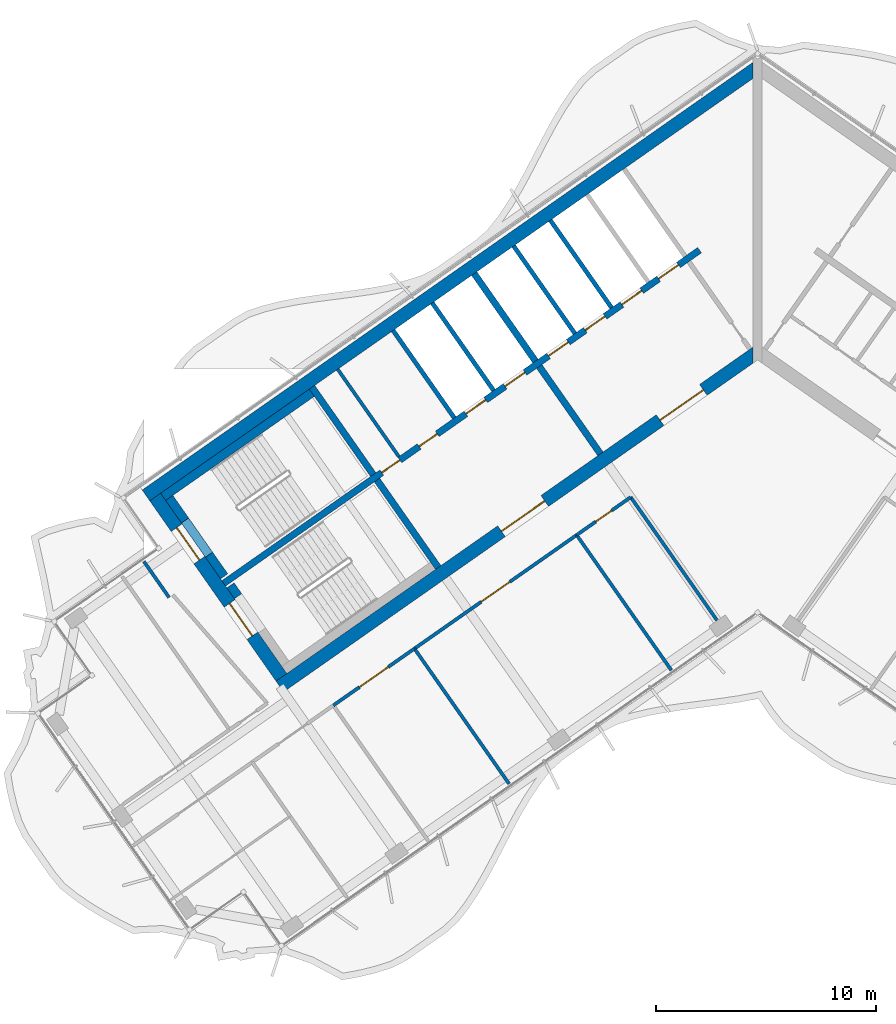
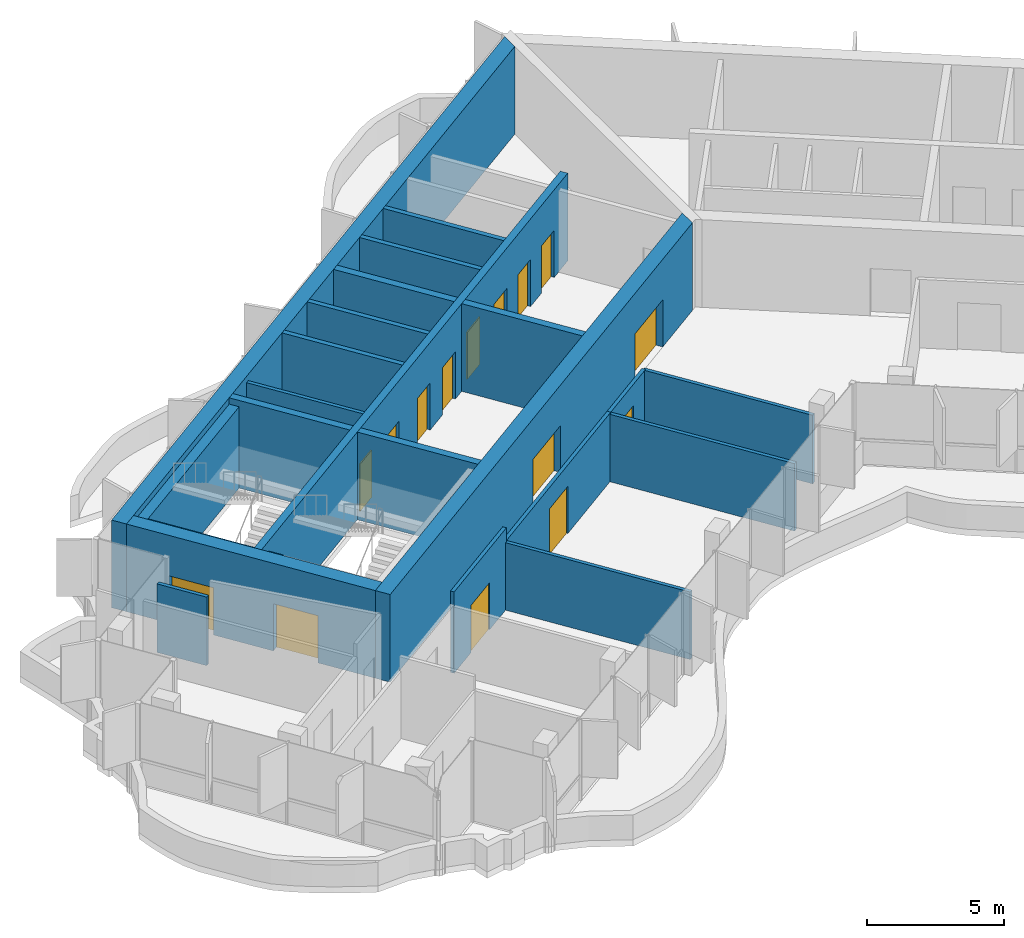
# One storey, part 9 of 17: 25 walls, 15 doors, 15 openings.
"""IFC4 building model written with IfcOpenShell, lengths in metres."""

from ifc_helpers import new_model, si_unit, direction, frame, frame_2d, origin, place, context, subcontext, project, spatial, polyline, rectangle, outline, extrude, material, layer, layer_set, type_object, element, fill, save


model = new_model("IFC4")

# Units and contexts
model_context = context("Model", 3, precision=1e-05, world=origin(), true_north=direction((0.0, 1.0)))
body_context = subcontext(model_context, "Body", "Model", "MODEL_VIEW")
ifc_project = project(units=[si_unit("LENGTHUNIT", "METRE"), si_unit("AREAUNIT", "SQUARE_METRE"), si_unit("VOLUMEUNIT", "CUBIC_METRE"), si_unit("PLANEANGLEUNIT", "RADIAN"), si_unit("MASSUNIT", "GRAM", prefix="KILO")], contexts=[model_context])

# Site, building, storey
site_placement = place(None, origin())
site = spatial("IfcSite", under=ifc_project, at=site_placement, CompositionType="ELEMENT")
building_placement = place(site_placement, origin())
building = spatial("IfcBuilding", under=site, at=building_placement, Name="Tel Ilan Convention Tower", CompositionType="ELEMENT")
storey_placement = place(building_placement, frame((0.0, 0.0, 276.10009765625)))
storey = spatial("IfcBuildingStorey", under=building, at=storey_placement, Name="L65", CompositionType="ELEMENT", Elevation=276.10009765625)

# Walls
ifc_material_1 = material(Name="Gypsum Plasterboard on Steel Stud", Category="steel")
ifc_layer_1 = layer(ifc_material_1, 0.14990234375)
ifc_layer_set_1 = layer_set([ifc_layer_1], Name="Core Room Partition Wall 150 mm EI 60")
wall_type_1 = type_object("IfcWallType", Name="Core Room Partition Wall 150 mm EI 60", PredefinedType="PARTITIONING", material=ifc_layer_set_1)
wall_1_placement = place(storey_placement, frame((-16.302001953125, -5.6162109375, 0.0), z_axis=(0.0, 0.0, 1.0), x_axis=(-0.573560315113, 0.819163332265, 0.0)))
element("IfcWall", 1, at=wall_1_placement, inside=storey, type_object=wall_type_1, Name="L65 core wall bank-W2-split", PredefinedType="PARTITIONING", context=body_context, shape_type="SweptSolid", body=[
    extrude(rectangle(XDim=4.849853515625, YDim=0.14990234375, at=frame_2d((2.4248046875, 0.0))), origin(), (0.0, 0.0, 1.0), 3.619873046875),
])
ifc_material_2 = material(Name="Concrete C40/50", Category="concrete")
ifc_layer_2 = layer(ifc_material_2, 0.300048828125)
ifc_layer_set_2 = layer_set([ifc_layer_2], Name="Core Shear Wall 300 mm C40/50")
wall_type_2 = type_object("IfcWallType", Name="Core Shear Wall 300 mm C40/50", PredefinedType="SHEAR", material=ifc_layer_set_2)
wall_2_placement = place(storey_placement, frame((-7.142822265625, -5.48974609375, 0.0), z_axis=(0.0, 0.0, 1.0), x_axis=(-0.573617744349, 0.819123118565, 0.0)))
element("IfcWall", 2, at=wall_2_placement, inside=storey, type_object=wall_type_2, Name="L65 core wall W-cross1-1", PredefinedType="SHEAR", context=body_context, shape_type="SweptSolid", body=[
    extrude(outline(polyline([(4.85009765625, 0.14990234375), (0.0, 0.150146484375), (0.0, -0.14990234375), (4.85009765625, -0.150146484375), (4.85009765625, 0.14990234375)])), origin(), (0.0, 0.0, 1.0), 3.89990234375),
])
wall_3_placement = place(storey_placement, frame((-10.096923828125, -1.271240234375, 0.0), z_axis=(0.0, 0.0, 1.0), x_axis=(-0.573560315113, 0.819163332265, 0.0)))
element("IfcWall", 3, at=wall_3_placement, inside=storey, type_object=wall_type_2, Name="L65 core wall W-cross1-2", PredefinedType="SHEAR", context=body_context, shape_type="SweptSolid", body=[
    extrude(outline(polyline([(4.849853515625, -0.14990234375), (4.849853515625, 0.150146484375), (0.0, 0.14990234375), (0.0, -0.150146484375), (4.849853515625, -0.14990234375)])), origin(), (0.0, 0.0, 1.0), 3.89990234375),
])
wall_4_placement = place(storey_placement, frame((-14.515380859375, -10.652099609375, 0.0), z_axis=(0.0, 0.0, 1.0), x_axis=(-0.573560315113, 0.819163332265, 0.0)))
element("IfcWall", 4, at=wall_4_placement, inside=storey, type_object=wall_type_2, Name="L65 core wall W-cross2-1", PredefinedType="SHEAR", context=body_context, shape_type="SweptSolid", body=[
    extrude(outline(polyline([(4.85009765625, 0.14990234375), (0.0, 0.14990234375), (0.0, -0.150146484375), (4.85009765625, -0.14990234375), (4.85009765625, 0.14990234375)])), origin(), (0.0, 0.0, 1.0), 3.89990234375),
])
wall_5_placement = place(storey_placement, frame((-17.46923828125, -6.433349609375, 0.0), z_axis=(0.0, 0.0, 1.0), x_axis=(-0.573594092424, 0.81913968109, 0.0)))
element("IfcWall", 5, at=wall_5_placement, inside=storey, type_object=wall_type_2, Name="L65 core wall W-cross2-2", PredefinedType="SHEAR", context=body_context, shape_type="SweptSolid", body=[
    extrude(outline(polyline([(4.849853515625, -0.150146484375), (4.849853515625, 0.14990234375), (0.0, 0.14990234375), (0.0, -0.14990234375), (4.849853515625, -0.150146484375)])), origin(), (0.0, 0.0, 1.0), 3.89990234375),
])

# Wall, openings, doors
wall_6_placement = place(storey_placement, frame((-2.638427734375, 3.76806640625, 0.0), z_axis=(0.0, 0.0, 1.0), x_axis=(-0.819155014212, -0.573572194837, 0.0)))
wall_6 = element("IfcWall", 6, at=wall_6_placement, inside=storey, type_object=wall_type_2, Name="L65 core wall W-spine", PredefinedType="SHEAR", context=body_context, shape_type="SweptSolid", body=[
    extrude(outline(polyline([(26.39990234375, 0.150146484375), (0.0, 0.14990234375), (0.0, -0.150146484375), (26.39990234375, -0.14990234375), (26.39990234375, 0.150146484375)])), origin(), (0.0, 0.0, 1.0), 3.89990234375),
])
opening_1_placement = place(wall_6_placement, frame((1.168701171875, 0.0, 0.0)))
opening_1 = element("IfcOpeningElement", 7, at=opening_1_placement, cuts=wall_6, Name="Opening LD5004", PredefinedType="OPENING", context=body_context, shape_type="SweptSolid", body=[
    extrude(rectangle(XDim=1.10009765625, YDim=2.10009765625, at=frame_2d((0.550048828125, 1.050048828125))), frame((0.0, 0.159912109375, 0.0), z_axis=(0.0, -1.0, 0.0), x_axis=(1.0, 0.0, 0.0)), (0.0, 0.0, 1.0), 0.320068359375),
])
opening_2_placement = place(wall_6_placement, frame((3.206298828125, 0.0, 0.0)))
opening_2 = element("IfcOpeningElement", 8, at=opening_2_placement, cuts=wall_6, Name="Opening LD5005", PredefinedType="OPENING", context=body_context, shape_type="SweptSolid", body=[
    extrude(rectangle(XDim=1.10009765625, YDim=2.10009765625, at=frame_2d((0.550048828125, 1.050048828125))), frame((0.0, 0.159912109375, 0.0), z_axis=(0.0, -1.0, 0.0), x_axis=(1.0, 0.0, 0.0)), (0.0, 0.0, 1.0), 0.320068359375),
])
opening_3_placement = place(wall_6_placement, frame((5.24365234375, 0.0, 0.0)))
opening_3 = element("IfcOpeningElement", 9, at=opening_3_placement, cuts=wall_6, Name="Opening LD5006", PredefinedType="OPENING", context=body_context, shape_type="SweptSolid", body=[
    extrude(rectangle(XDim=1.10009765625, YDim=2.10009765625, at=frame_2d((0.550048828125, 1.050048828125))), frame((0.0, 0.159912109375, 0.0), z_axis=(0.0, -1.0, 0.0), x_axis=(1.0, 0.0, 0.0)), (0.0, 0.0, 1.0), 0.320068359375),
])
opening_4_placement = place(wall_6_placement, frame((7.28125, 0.0, 0.0)))
opening_4 = element("IfcOpeningElement", 10, at=opening_4_placement, cuts=wall_6, Name="Opening LD5007", PredefinedType="OPENING", context=body_context, shape_type="SweptSolid", body=[
    extrude(rectangle(XDim=1.10009765625, YDim=2.10009765625, at=frame_2d((0.550048828125, 1.050048828125))), frame((0.0, 0.159912109375, 0.0), z_axis=(0.0, -1.0, 0.0), x_axis=(1.0, 0.0, 0.0)), (0.0, 0.0, 1.0), 0.320068359375),
])
opening_5_placement = place(wall_6_placement, frame((9.6875, 0.0, 0.0)))
opening_5 = element("IfcOpeningElement", 11, at=opening_5_placement, cuts=wall_6, Name="Opening LD5008", PredefinedType="OPENING", context=body_context, shape_type="SweptSolid", body=[
    extrude(rectangle(XDim=1.10009765625, YDim=2.10009765625, at=frame_2d((0.550048828125, 1.050048828125))), frame((0.0, 0.159912109375, 0.0), z_axis=(0.0, -1.0, 0.0), x_axis=(1.0, 0.0, 0.0)), (0.0, 0.0, 1.0), 0.320068359375),
])
opening_6_placement = place(wall_6_placement, frame((11.862548828125, 0.0, 0.0)))
opening_6 = element("IfcOpeningElement", 12, at=opening_6_placement, cuts=wall_6, Name="Opening LD5009", PredefinedType="OPENING", context=body_context, shape_type="SweptSolid", body=[
    extrude(rectangle(XDim=1.10009765625, YDim=2.10009765625, at=frame_2d((0.550048828125, 1.050048828125))), frame((0.0, 0.159912109375, 0.0), z_axis=(0.0, -1.0, 0.0), x_axis=(1.0, 0.0, 0.0)), (0.0, 0.0, 1.0), 0.320068359375),
])
opening_7_placement = place(wall_6_placement, frame((14.552490234375, 0.0, 0.0)))
opening_7 = element("IfcOpeningElement", 13, at=opening_7_placement, cuts=wall_6, Name="Opening CD5009", PredefinedType="OPENING", context=body_context, shape_type="SweptSolid", body=[
    extrude(rectangle(XDim=1.0, YDim=2.10009765625, at=frame_2d((0.5, 1.050048828125))), frame((0.0, 0.159912109375, 0.0), z_axis=(0.0, -1.0, 0.0), x_axis=(1.0, 0.0, 0.0)), (0.0, 0.0, 1.0), 0.320068359375),
])
opening_8_placement = place(wall_6_placement, frame((16.62744140625, 0.0, 0.0)))
opening_8 = element("IfcOpeningElement", 14, at=opening_8_placement, cuts=wall_6, Name="Opening CD5010", PredefinedType="OPENING", context=body_context, shape_type="SweptSolid", body=[
    extrude(rectangle(XDim=1.0, YDim=2.10009765625, at=frame_2d((0.5, 1.050048828125))), frame((0.0, 0.159912109375, 0.0), z_axis=(0.0, -1.0, 0.0), x_axis=(1.0, 0.0, 0.0)), (0.0, 0.0, 1.0), 0.320068359375),
])
ifc_material_3 = material(Name="Stainless Steel Sliding Door Leaf", Category="steel")
door_type_1 = type_object("IfcDoorType", Name="Lift Landing Door 1100 x 2100 FD120", OperationType="NOTDEFINED", PredefinedType="DOOR", material=ifc_material_3)
door_1_placement = place(opening_1_placement, origin())
door_1 = element("IfcDoor", 15, at=door_1_placement, inside=storey, type_object=door_type_1, Name="Lift HR1 landing door", OperationType="SLIDING_TO_LEFT", OverallHeight=2.10009765625, OverallWidth=1.10009765625, PredefinedType="DOOR", context=body_context, shape_type="SweptSolid", body=[
    extrude(rectangle(XDim=1.10009765625, YDim=2.10009765625, at=frame_2d((0.550048828125, 1.050048828125))), frame((0.0, 0.02490234375, 0.0), z_axis=(0.0, -1.0, 0.0), x_axis=(1.0, 0.0, 0.0)), (0.0, 0.0, 1.0), 0.050048828125),
])
fill(opening_1, door_1)
door_2_placement = place(opening_2_placement, origin())
door_2 = element("IfcDoor", 16, at=door_2_placement, inside=storey, type_object=door_type_1, Name="Lift HR2 landing door", OperationType="SLIDING_TO_RIGHT", OverallHeight=2.10009765625, OverallWidth=1.10009765625, PredefinedType="DOOR", context=body_context, shape_type="SweptSolid", body=[
    extrude(rectangle(XDim=1.10009765625, YDim=2.10009765625, at=frame_2d((0.550048828125, 1.050048828125))), frame((0.0, 0.02490234375, 0.0), z_axis=(0.0, -1.0, 0.0), x_axis=(1.0, 0.0, 0.0)), (0.0, 0.0, 1.0), 0.050048828125),
])
fill(opening_2, door_2)
door_3_placement = place(opening_3_placement, origin())
door_3 = element("IfcDoor", 17, at=door_3_placement, inside=storey, type_object=door_type_1, Name="Lift HR3 landing door", OperationType="SLIDING_TO_LEFT", OverallHeight=2.10009765625, OverallWidth=1.10009765625, PredefinedType="DOOR", context=body_context, shape_type="SweptSolid", body=[
    extrude(rectangle(XDim=1.10009765625, YDim=2.10009765625, at=frame_2d((0.550048828125, 1.050048828125))), frame((0.0, 0.02490234375, 0.0), z_axis=(0.0, -1.0, 0.0), x_axis=(1.0, 0.0, 0.0)), (0.0, 0.0, 1.0), 0.050048828125),
])
fill(opening_3, door_3)
door_4_placement = place(opening_4_placement, origin())
door_4 = element("IfcDoor", 18, at=door_4_placement, inside=storey, type_object=door_type_1, Name="Lift HR4 landing door", OperationType="SLIDING_TO_RIGHT", OverallHeight=2.10009765625, OverallWidth=1.10009765625, PredefinedType="DOOR", context=body_context, shape_type="SweptSolid", body=[
    extrude(rectangle(XDim=1.10009765625, YDim=2.10009765625, at=frame_2d((0.550048828125, 1.050048828125))), frame((0.0, 0.02490234375, 0.0), z_axis=(0.0, -1.0, 0.0), x_axis=(1.0, 0.0, 0.0)), (0.0, 0.0, 1.0), 0.050048828125),
])
fill(opening_4, door_4)
door_5_placement = place(opening_5_placement, origin())
door_5 = element("IfcDoor", 19, at=door_5_placement, inside=storey, type_object=door_type_1, Name="Lift HR5 landing door", OperationType="SLIDING_TO_LEFT", OverallHeight=2.10009765625, OverallWidth=1.10009765625, PredefinedType="DOOR", context=body_context, shape_type="SweptSolid", body=[
    extrude(rectangle(XDim=1.10009765625, YDim=2.10009765625, at=frame_2d((0.550048828125, 1.050048828125))), frame((0.0, 0.02490234375, 0.0), z_axis=(0.0, -1.0, 0.0), x_axis=(1.0, 0.0, 0.0)), (0.0, 0.0, 1.0), 0.050048828125),
])
fill(opening_5, door_5)
door_6_placement = place(opening_6_placement, origin())
door_6 = element("IfcDoor", 20, at=door_6_placement, inside=storey, type_object=door_type_1, Name="Lift HR6 landing door", OperationType="SLIDING_TO_RIGHT", OverallHeight=2.10009765625, OverallWidth=1.10009765625, PredefinedType="DOOR", context=body_context, shape_type="SweptSolid", body=[
    extrude(rectangle(XDim=1.10009765625, YDim=2.10009765625, at=frame_2d((0.550048828125, 1.050048828125))), frame((0.0, 0.02490234375, 0.0), z_axis=(0.0, -1.0, 0.0), x_axis=(1.0, 0.0, 0.0)), (0.0, 0.0, 1.0), 0.050048828125),
])
fill(opening_6, door_6)
ifc_material_4 = material(Name="Galvanised Steel Door Leaf", Category="steel")
door_type_2 = type_object("IfcDoorType", Name="Service Room Door 1000 x 2100 FD60", OperationType="NOTDEFINED", PredefinedType="DOOR", material=ifc_material_4)
door_7_placement = place(opening_7_placement, origin())
door_7 = element("IfcDoor", 21, at=door_7_placement, inside=storey, type_object=door_type_2, Name="Plant Room door", OperationType="SINGLE_SWING_RIGHT", OverallHeight=2.10009765625, OverallWidth=1.0, PredefinedType="DOOR", context=body_context, shape_type="SweptSolid", body=[
    extrude(rectangle(XDim=1.0, YDim=2.10009765625, at=frame_2d((0.5, 1.050048828125))), frame((0.0, 0.02490234375, 0.0), z_axis=(0.0, -1.0, 0.0), x_axis=(1.0, 0.0, 0.0)), (0.0, 0.0, 1.0), 0.050048828125),
])
fill(opening_7, door_7)
door_8_placement = place(opening_8_placement, origin())
door_8 = element("IfcDoor", 22, at=door_8_placement, inside=storey, type_object=door_type_2, Name="Plant Room door", OperationType="SINGLE_SWING_RIGHT", OverallHeight=2.10009765625, OverallWidth=1.0, PredefinedType="DOOR", context=body_context, shape_type="SweptSolid", body=[
    extrude(rectangle(XDim=1.0, YDim=2.10009765625, at=frame_2d((0.5, 1.050048828125))), frame((0.0, 0.02490234375, 0.0), z_axis=(0.0, -1.0, 0.0), x_axis=(1.0, 0.0, 0.0)), (0.0, 0.0, 1.0), 0.050048828125),
])
fill(opening_8, door_8)

# Wall
ifc_material_5 = material(Name="Concrete C40/50", Category="concrete")
ifc_layer_3 = layer(ifc_material_5, 0.60009765625)
ifc_layer_set_3 = layer_set([ifc_layer_3], Name="Core Shear Wall 600 mm C40/50")
wall_type_3 = type_object("IfcWallType", Name="Core Shear Wall 600 mm C40/50", PredefinedType="SHEAR", material=ifc_layer_set_3)
wall_7_placement = place(storey_placement, frame((-0.02783203125, 12.066162109375, 0.0), z_axis=(0.0, 0.0, 1.0), x_axis=(-0.819151382952, -0.573577380837, 0.0)))
element("IfcWall", 23, at=wall_7_placement, inside=storey, type_object=wall_type_3, Name="L65 core wall W-back", PredefinedType="SHEAR", context=body_context, shape_type="SweptSolid", body=[
    extrude(outline(polyline([(33.89794921875, 0.300048828125), (0.420166015625, 0.300048828125), (0.0, -0.300048828125), (33.898193359375, -0.300048828125), (33.89794921875, 0.300048828125)])), origin(), (0.0, 0.0, 1.0), 3.89990234375),
])

# Wall, openings, doors
wall_8_placement = place(storey_placement, frame((-0.02783203125, -0.8740234375, 0.0), z_axis=(0.0, 0.0, 1.0), x_axis=(-0.819150035022, -0.573579305871, 0.0)))
wall_8 = element("IfcWall", 24, at=wall_8_placement, inside=storey, type_object=wall_type_3, Name="L65 core wall W-front", PredefinedType="SHEAR", context=body_context, shape_type="SweptSolid", body=[
    extrude(outline(polyline([(26.475830078125, 0.2998046875), (0.420166015625, 0.300048828125), (0.000244140625, -0.300048828125), (26.475830078125, -0.300048828125), (26.475830078125, 0.2998046875)])), origin(), (0.0, 0.0, 1.0), 3.89990234375),
])
opening_9_placement = place(wall_8_placement, frame((2.975830078125, 0.0, 0.0)))
opening_9 = element("IfcOpeningElement", 25, at=opening_9_placement, cuts=wall_8, Name="Opening CD5006", PredefinedType="OPENING", context=body_context, shape_type="SweptSolid", body=[
    extrude(rectangle(XDim=2.39990234375, YDim=2.10009765625, at=frame_2d((1.199951171875, 1.050048828125))), frame((0.0, 0.31005859375, 0.0), z_axis=(0.0, -1.0, 0.0), x_axis=(1.0, 0.0, 0.0)), (0.0, 0.0, 1.0), 0.6201171875),
])
opening_10_placement = place(wall_8_placement, frame((11.77587890625, 0.0, 0.0)))
opening_10 = element("IfcOpeningElement", 26, at=opening_10_placement, cuts=wall_8, Name="Opening CD5007", PredefinedType="OPENING", context=body_context, shape_type="SweptSolid", body=[
    extrude(rectangle(XDim=2.39990234375, YDim=2.10009765625, at=frame_2d((1.199951171875, 1.050048828125))), frame((0.0, 0.31005859375, 0.0), z_axis=(0.0, -1.0, 0.0), x_axis=(1.0, 0.0, 0.0)), (0.0, 0.0, 1.0), 0.6201171875),
])
ifc_material_6 = material(Name="Glazed Aluminium Door Leaf", Category="aluminium")
door_type_3 = type_object("IfcDoorType", Name="Lobby Opening Door 2400 x 2100 FD60S", OperationType="NOTDEFINED", PredefinedType="DOOR", material=ifc_material_6)
door_9_placement = place(opening_9_placement, origin())
door_9 = element("IfcDoor", 27, at=door_9_placement, inside=storey, type_object=door_type_3, Name="Lift Lobby HR1-HR4 opening", OperationType="DOUBLE_DOOR_SINGLE_SWING", OverallHeight=2.10009765625, OverallWidth=2.39990234375, PredefinedType="DOOR", context=body_context, shape_type="SweptSolid", body=[
    extrude(rectangle(XDim=2.39990234375, YDim=2.10009765625, at=frame_2d((1.199951171875, 1.050048828125))), frame((0.0, 0.02490234375, 0.0), z_axis=(0.0, -1.0, 0.0), x_axis=(1.0, 0.0, 0.0)), (0.0, 0.0, 1.0), 0.050048828125),
])
fill(opening_9, door_9)
door_10_placement = place(opening_10_placement, origin())
door_10 = element("IfcDoor", 28, at=door_10_placement, inside=storey, type_object=door_type_3, Name="Lift Lobby HR5-HR6 opening", OperationType="DOUBLE_DOOR_SINGLE_SWING", OverallHeight=2.10009765625, OverallWidth=2.39990234375, PredefinedType="DOOR", context=body_context, shape_type="SweptSolid", body=[
    extrude(rectangle(XDim=2.39990234375, YDim=2.10009765625, at=frame_2d((1.199951171875, 1.050048828125))), frame((0.0, 0.02490234375, 0.0), z_axis=(0.0, -1.0, 0.0), x_axis=(1.0, 0.0, 0.0)), (0.0, 0.0, 1.0), 0.050048828125),
])
fill(opening_10, door_10)

wall_9_placement = place(storey_placement, frame((-21.641845703125, -15.64208984375, 0.0), z_axis=(0.0, 0.0, 1.0), x_axis=(-0.573586866468, 0.819144740944, 0.0)))
wall_9 = element("IfcWall", 29, at=wall_9_placement, inside=storey, type_object=wall_type_3, Name="L65 core wall W-end", PredefinedType="SHEAR", context=body_context, shape_type="SweptSolid", body=[
    extrude(outline(polyline([(0.0, 0.300048828125), (0.0, -0.2998046875), (10.0, -0.300048828125), (10.0, 0.300048828125), (0.0, 0.300048828125)])), origin(), (0.0, 0.0, 1.0), 3.89990234375),
])
opening_11_placement = place(wall_9_placement, frame((6.5, 0.0, 0.0)))
opening_11 = element("IfcOpeningElement", 30, at=opening_11_placement, cuts=wall_9, Name="Opening SD5001", PredefinedType="OPENING", context=body_context, shape_type="SweptSolid", body=[
    extrude(rectangle(XDim=1.800048828125, YDim=2.10009765625, at=frame_2d((0.89990234375, 1.050048828125))), frame((0.0, 0.31005859375, 0.0), z_axis=(0.0, -1.0, 0.0), x_axis=(1.0, 0.0, 0.0)), (0.0, 0.0, 1.0), 0.6201171875),
])
opening_12_placement = place(wall_9_placement, frame((2.300048828125, 0.0, 0.0)))
opening_12 = element("IfcOpeningElement", 31, at=opening_12_placement, cuts=wall_9, Name="Opening SD5002", PredefinedType="OPENING", context=body_context, shape_type="SweptSolid", body=[
    extrude(rectangle(XDim=1.800048828125, YDim=2.10009765625, at=frame_2d((0.89990234375, 1.050048828125))), frame((0.0, 0.31005859375, 0.0), z_axis=(0.0, -1.0, 0.0), x_axis=(1.0, 0.0, 0.0)), (0.0, 0.0, 1.0), 0.6201171875),
])
ifc_material_7 = material(Name="Galvanised Steel Door Leaf", Category="steel")
door_type_4 = type_object("IfcDoorType", Name="Stair Fire Door 1800 x 2100 FD60S", OperationType="NOTDEFINED", PredefinedType="DOOR", material=ifc_material_7)
door_11_placement = place(opening_11_placement, origin())
door_11 = element("IfcDoor", 32, at=door_11_placement, inside=storey, type_object=door_type_4, Name="Stair S1 door", OperationType="DOUBLE_DOOR_SINGLE_SWING", OverallHeight=2.10009765625, OverallWidth=1.800048828125, PredefinedType="DOOR", context=body_context, shape_type="SweptSolid", body=[
    extrude(rectangle(XDim=1.800048828125, YDim=2.10009765625, at=frame_2d((0.89990234375, 1.050048828125))), frame((0.0, 0.02490234375, 0.0), z_axis=(0.0, -1.0, 0.0), x_axis=(1.0, 0.0, 0.0)), (0.0, 0.0, 1.0), 0.050048828125),
])
fill(opening_11, door_11)
door_12_placement = place(opening_12_placement, origin())
door_12 = element("IfcDoor", 33, at=door_12_placement, inside=storey, type_object=door_type_4, Name="Stair S2 door", OperationType="DOUBLE_DOOR_SINGLE_SWING", OverallHeight=2.10009765625, OverallWidth=1.800048828125, PredefinedType="DOOR", context=body_context, shape_type="SweptSolid", body=[
    extrude(rectangle(XDim=1.800048828125, YDim=2.10009765625, at=frame_2d((0.89990234375, 1.050048828125))), frame((0.0, 0.02490234375, 0.0), z_axis=(0.0, -1.0, 0.0), x_axis=(1.0, 0.0, 0.0)), (0.0, 0.0, 1.0), 0.050048828125),
])
fill(opening_12, door_12)

# Wall, opening, door
ifc_material_8 = material(Name="Plasterboard on Steel Studs", Category="steel")
ifc_layer_4 = layer(ifc_material_8, 0.14990234375)
ifc_layer_set_4 = layer_set([ifc_layer_4], Name="Fire-rated Partition 150 EI 60")
wall_type_4 = type_object("IfcWallType", Name="Fire-rated Partition 150 EI 60", PredefinedType="PARTITIONING", material=ifc_layer_set_4)
wall_10_placement = place(storey_placement, frame((-5.766357421875, -7.455810546875, 0.0), z_axis=(0.0, 0.0, 1.0), x_axis=(-0.819132568355, -0.573604249862, 0.0)))
wall_10 = element("IfcWall", 34, at=wall_10_placement, inside=storey, type_object=wall_type_4, Name="Partition 009", PredefinedType="PARTITIONING", context=body_context, shape_type="SweptSolid", body=[
    extrude(rectangle(XDim=3.001953125, YDim=0.14990234375, at=frame_2d((1.5009765625, 0.0))), origin(), (0.0, 0.0, 1.0), 3.0498046875),
])
opening_13_placement = place(wall_10_placement, frame((1.051025390625, 0.0, 0.0)))
opening_13 = element("IfcOpeningElement", 35, at=opening_13_placement, cuts=wall_10, Name="Opening L65-001", PredefinedType="OPENING", context=body_context, shape_type="SweptSolid", body=[
    extrude(rectangle(XDim=0.89990234375, YDim=2.10009765625, at=frame_2d((0.449951171875, 1.050048828125))), frame((0.0, 0.0849609375, 0.0), z_axis=(0.0, -1.0, 0.0), x_axis=(1.0, 0.0, 0.0)), (0.0, 0.0, 1.0), 0.169921875),
])
ifc_material_9 = material(Name="Timber Door Leaf in Steel Frame", Category="steel")
door_type_5 = type_object("IfcDoorType", Name="Room Fire Door 900x2100", OperationType="NOTDEFINED", PredefinedType="DOOR", material=ifc_material_9)
door_13_placement = place(opening_13_placement, origin())
door_13 = element("IfcDoor", 36, at=door_13_placement, inside=storey, type_object=door_type_5, Name="Door L65-001", OperationType="SINGLE_SWING_RIGHT", OverallHeight=2.10009765625, OverallWidth=0.89990234375, PredefinedType="DOOR", context=body_context, shape_type="SweptSolid", body=[
    extrude(rectangle(XDim=0.89990234375, YDim=2.10009765625, at=frame_2d((0.449951171875, 1.050048828125))), frame((0.0, 0.02490234375, 0.0), z_axis=(0.0, -1.0, 0.0), x_axis=(1.0, 0.0, 0.0)), (0.0, 0.0, 1.0), 0.050048828125),
])
fill(opening_13, door_13)

wall_11_placement = place(storey_placement, frame((-8.22216796875, -9.17529296875, 0.0), z_axis=(0.0, 0.0, 1.0), x_axis=(-0.819151661297, -0.57357698332, 0.0)))
wall_11 = element("IfcWall", 37, at=wall_11_placement, inside=storey, type_object=wall_type_4, Name="Partition 010", PredefinedType="PARTITIONING", context=body_context, shape_type="SweptSolid", body=[
    extrude(rectangle(XDim=9.004150390625, YDim=0.14990234375, at=frame_2d((4.501953125, 0.0))), origin(), (0.0, 0.0, 1.0), 3.0498046875),
])
opening_14_placement = place(wall_11_placement, frame((3.701904296875, 0.0, 0.0)))
opening_14 = element("IfcOpeningElement", 38, at=opening_14_placement, cuts=wall_11, Name="Opening L65-002", PredefinedType="OPENING", context=body_context, shape_type="SweptSolid", body=[
    extrude(rectangle(XDim=1.60009765625, YDim=2.10009765625, at=frame_2d((0.800048828125, 1.050048828125))), frame((0.0, 0.0849609375, 0.0), z_axis=(0.0, -1.0, 0.0), x_axis=(1.0, 0.0, 0.0)), (0.0, 0.0, 1.0), 0.169921875),
])
ifc_material_10 = material(Name="Timber Door Leaf in Steel Frame", Category="steel")
door_type_6 = type_object("IfcDoorType", Name="Tenant Suite Entrance Fire Door 1600x2100", OperationType="NOTDEFINED", PredefinedType="DOOR", material=ifc_material_10)
door_14_placement = place(opening_14_placement, origin())
door_14 = element("IfcDoor", 39, at=door_14_placement, inside=storey, type_object=door_type_6, Name="Door L65-002", OperationType="DOUBLE_DOOR_SINGLE_SWING", OverallHeight=2.10009765625, OverallWidth=1.60009765625, PredefinedType="DOOR", context=body_context, shape_type="SweptSolid", body=[
    extrude(rectangle(XDim=1.60009765625, YDim=2.10009765625, at=frame_2d((0.800048828125, 1.050048828125))), frame((0.0, 0.02490234375, 0.0), z_axis=(0.0, -1.0, 0.0), x_axis=(1.0, 0.0, 0.0)), (0.0, 0.0, 1.0), 0.050048828125),
])
fill(opening_14, door_14)

wall_12_placement = place(storey_placement, frame((-15.594482421875, -14.337646484375, 0.0), z_axis=(0.0, 0.0, 1.0), x_axis=(-0.819165703328, -0.573556928727, 0.0)))
wall_12 = element("IfcWall", 40, at=wall_12_placement, inside=storey, type_object=wall_type_4, Name="Partition 011", PredefinedType="PARTITIONING", context=body_context, shape_type="SweptSolid", body=[
    extrude(rectangle(XDim=4.50390625, YDim=0.14990234375, at=frame_2d((2.251953125, 0.0))), origin(), (0.0, 0.0, 1.0), 3.619873046875),
])
opening_15_placement = place(wall_12_placement, frame((1.451904296875, 0.0, 0.0)))
opening_15 = element("IfcOpeningElement", 41, at=opening_15_placement, cuts=wall_12, Name="Opening L65-003", PredefinedType="OPENING", context=body_context, shape_type="SweptSolid", body=[
    extrude(rectangle(XDim=1.60009765625, YDim=2.10009765625, at=frame_2d((0.800048828125, 1.050048828125))), frame((0.0, 0.0849609375, 0.0), z_axis=(0.0, -1.0, 0.0), x_axis=(1.0, 0.0, 0.0)), (0.0, 0.0, 1.0), 0.169921875),
])
door_15_placement = place(opening_15_placement, origin())
door_15 = element("IfcDoor", 42, at=door_15_placement, inside=storey, type_object=door_type_6, Name="Door L65-003", OperationType="DOUBLE_DOOR_SINGLE_SWING", OverallHeight=2.10009765625, OverallWidth=1.60009765625, PredefinedType="DOOR", context=body_context, shape_type="SweptSolid", body=[
    extrude(rectangle(XDim=1.60009765625, YDim=2.10009765625, at=frame_2d((0.800048828125, 1.050048828125))), frame((0.0, 0.02490234375, 0.0), z_axis=(0.0, -1.0, 0.0), x_axis=(1.0, 0.0, 0.0)), (0.0, 0.0, 1.0), 0.050048828125),
])
fill(opening_15, door_15)

# Walls
wall_13_placement = place(storey_placement, frame((-1.848876953125, -13.050537109375, 0.0), z_axis=(0.0, 0.0, 1.0), x_axis=(-0.57357985571, 0.819149650018, 0.0)))
element("IfcWall", 43, at=wall_13_placement, inside=storey, type_object=wall_type_4, Name="Partition 021", PredefinedType="PARTITIONING", context=body_context, shape_type="SweptSolid", body=[
    extrude(rectangle(XDim=6.83203125, YDim=0.14990234375, at=frame_2d((3.416015625, 0.0))), origin(), (0.0, 0.0, 1.0), 3.0498046875),
])
wall_14_placement = place(storey_placement, frame((-26.74609375, -12.013671875, 0.0), z_axis=(0.0, 0.0, 1.0), x_axis=(-0.573568836472, 0.819157365729, 0.0)))
element("IfcWall", 44, at=wall_14_placement, inside=storey, type_object=wall_type_4, Name="Partition 022", PredefinedType="PARTITIONING", context=body_context, shape_type="SweptSolid", body=[
    extrude(rectangle(XDim=2.000244140625, YDim=0.14990234375, at=frame_2d((1.0, 0.0))), origin(), (0.0, 0.0, 1.0), 3.0498046875),
])
for number, where, z_axis, x_axis, name in (
    (45, (-3.922119140625, -15.3203125, 0.0), (0.0, 0.0, 1.0), (-0.573560650686, 0.819163097304, 0.0), "Partition 025"),
    (46, (-11.29443359375, -20.482421875, 0.0), (0.0, 0.0, 1.0), (-0.573560650686, 0.819163097304, 0.0), "Partition 026"),
):
    element("IfcWall", number, at=place(storey_placement, frame(where, z_axis=z_axis, x_axis=x_axis)), inside=storey, type_object=wall_type_4, Name=name, PredefinedType="PARTITIONING", context=body_context, shape_type="SweptSolid", body=[
        extrude(rectangle(XDim=7.5, YDim=0.14990234375, at=frame_2d((3.75, 0.0))), origin(), (0.0, 0.0, 1.0), 3.0),
    ])
ifc_material_11 = material(Name="Concrete C30/37", Category="concrete")
ifc_layer_5 = layer(ifc_material_11, 0.199951171875)
ifc_layer_set_5 = layer_set([ifc_layer_5], Name="Lift Shaft Wall 200 mm C30/37")
wall_type_5 = type_object("IfcWallType", Name="Lift Shaft Wall 200 mm C30/37", PredefinedType="SOLIDWALL", material=ifc_layer_set_5)
wall_15_placement = place(storey_placement, frame((-6.635986328125, 1.152099609375, 0.0), z_axis=(0.0, 0.0, 1.0), x_axis=(-0.573560315113, 0.819163332265, 0.0)))
element("IfcWall", 47, at=wall_15_placement, inside=storey, type_object=wall_type_5, Name="L65 core wall bank-W1-p1", PredefinedType="SOLIDWALL", context=body_context, shape_type="SweptSolid", body=[
    extrude(rectangle(XDim=4.849853515625, YDim=0.199951171875, at=frame_2d((2.4248046875, 0.0))), origin(), (0.0, 0.0, 1.0), 3.89990234375),
])
wall_16_placement = place(storey_placement, frame((-8.304931640625, -0.0166015625, 0.0), z_axis=(0.0, 0.0, 1.0), x_axis=(-0.573594092424, 0.81913968109, 0.0)))
element("IfcWall", 48, at=wall_16_placement, inside=storey, type_object=wall_type_5, Name="L65 core wall bank-W1-p2", PredefinedType="SOLIDWALL", context=body_context, shape_type="SweptSolid", body=[
    extrude(rectangle(XDim=4.85009765625, YDim=0.199951171875, at=frame_2d((2.425048828125, 0.0))), origin(), (0.0, 0.0, 1.0), 3.89990234375),
])
wall_17_placement = place(storey_placement, frame((-12.00146484375, -2.604736328125, 0.0), z_axis=(0.0, 0.0, 1.0), x_axis=(-0.573560315113, 0.819163332265, 0.0)))
element("IfcWall", 49, at=wall_17_placement, inside=storey, type_object=wall_type_5, Name="L65 core wall bank-W2-p0", PredefinedType="SOLIDWALL", context=body_context, shape_type="SweptSolid", body=[
    extrude(rectangle(XDim=4.849853515625, YDim=0.199951171875, at=frame_2d((2.4248046875, 0.0))), origin(), (0.0, 0.0, 1.0), 3.89990234375),
])
wall_18_placement = place(storey_placement, frame((-13.782958984375, -3.852294921875, 0.0), z_axis=(0.0, 0.0, 1.0), x_axis=(-0.573594092424, 0.81913968109, 0.0)))
element("IfcWall", 50, at=wall_18_placement, inside=storey, type_object=wall_type_5, Name="L65 core wall bank-W2-p1", PredefinedType="SOLIDWALL", context=body_context, shape_type="SweptSolid", body=[
    extrude(rectangle(XDim=4.85009765625, YDim=0.199951171875, at=frame_2d((2.425048828125, 0.0))), origin(), (0.0, 0.0, 1.0), 3.89990234375),
])
ifc_material_12 = material(Name="Concrete C30/37", Category="concrete")
ifc_layer_6 = layer(ifc_material_12, 0.39990234375)
ifc_layer_set_6 = layer_set([ifc_layer_6], Name="Stair and Shaft Lining Wall 400 mm C30/37")
wall_type_6 = type_object("IfcWallType", Name="Stair and Shaft Lining Wall 400 mm C30/37", PredefinedType="SOLIDWALL", material=ifc_layer_set_6)
wall_19_placement = place(storey_placement, frame((-20.25927734375, -2.71044921875, 0.0), z_axis=(0.0, 0.0, 1.0), x_axis=(-0.81914849389, -0.573581506813, 0.0)))
element("IfcWall", 51, at=wall_19_placement, inside=storey, type_object=wall_type_6, Name="L65 core wall lining-S1-t1", PredefinedType="SOLIDWALL", context=body_context, shape_type="SweptSolid", body=[
    extrude(rectangle(XDim=8.249755859375, YDim=0.39990234375, at=frame_2d((4.125, 0.0))), origin(), (0.0, 0.0, 1.0), 3.619873046875),
])
wall_20_placement = place(storey_placement, frame((-24.24365234375, -11.0546875, 0.0), z_axis=(0.0, 0.0, 1.0), x_axis=(-0.573571582932, 0.819155442668, 0.0)))
element("IfcWall", 52, at=wall_20_placement, inside=storey, type_object=wall_type_6, Name="L65 core wall lining-S1-u1-0", PredefinedType="SOLIDWALL", context=body_context, shape_type="SweptSolid", body=[
    extrude(rectangle(XDim=1.199951171875, YDim=0.39990234375, at=frame_2d((0.60009765625, 0.0))), origin(), (0.0, 0.0, 1.0), 3.619873046875),
])
wall_21_placement = place(storey_placement, frame((-26.021728515625, -8.515380859375, 0.0), z_axis=(0.0, 0.0, 1.0), x_axis=(-0.573619628835, 0.819121798889, 0.0)))
element("IfcWall", 53, at=wall_21_placement, inside=storey, type_object=wall_type_6, Name="L65 core wall lining-S1-u1-1", PredefinedType="SOLIDWALL", context=body_context, shape_type="SweptSolid", body=[
    extrude(rectangle(XDim=1.25, YDim=0.39990234375, at=frame_2d((0.625, 0.0))), origin(), (0.0, 0.0, 1.0), 3.619873046875),
])
wall_22_placement = place(storey_placement, frame((-24.931884765625, -10.07177734375, 2.14990234375), z_axis=(0.0, 0.0, 1.0), x_axis=(-0.573591692345, 0.819141361715, 0.0)))
element("IfcWall", 54, at=wall_22_placement, inside=storey, type_object=wall_type_6, Name="L65 core wall lining-S1-u1-lintel", PredefinedType="SOLIDWALL", context=body_context, shape_type="SweptSolid", body=[
    extrude(rectangle(XDim=1.900146484375, YDim=0.39990234375, at=frame_2d((0.9501953125, 0.0))), origin(), (0.0, 0.0, 1.0), 1.469970703125),
])
wall_23_placement = place(storey_placement, frame((-23.61279296875, -11.955810546875, 0.0), z_axis=(0.0, 0.0, 1.0), x_axis=(-0.573435029941, 0.819251039936, 0.0)))
element("IfcWall", 55, at=wall_23_placement, inside=storey, type_object=wall_type_6, Name="L65 core wall lining-S2-u1-1", PredefinedType="SOLIDWALL", context=body_context, shape_type="SweptSolid", body=[
    extrude(rectangle(XDim=0.599853515625, YDim=0.39990234375, at=frame_2d((0.2998046875, 0.0))), origin(), (0.0, 0.0, 1.0), 3.619873046875),
])

save(model, "model.ifc")
